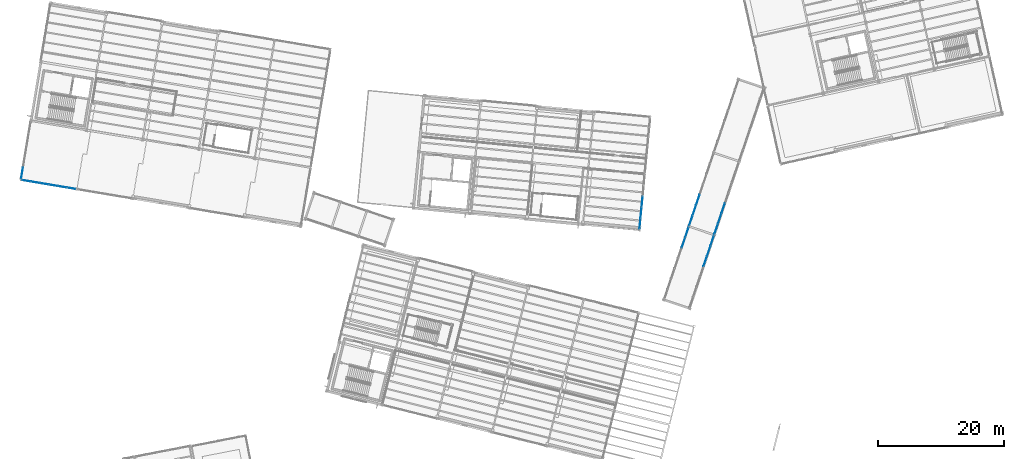
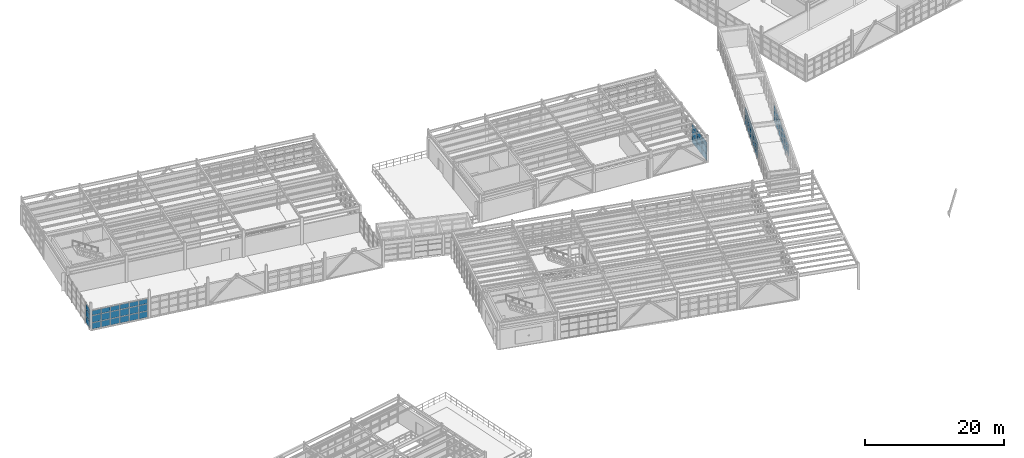
# One storey, part 65 of 102: 62 plates, 7 elements without a shape of their own.
"""IFC4 building model written with IfcOpenShell, lengths in metres."""

from ifc_helpers import new_model, si_unit, direction, frame, origin, origin_2d, place, context, subcontext, project, spatial, rectangle, extrude, material, layer, layer_set, type_object, element, aggregate, save


model = new_model("IFC4")

# Units and contexts
model_context = context("Model", 3, precision=1e-05, world=origin(), true_north=direction((0.0, 1.0)))
body_context = subcontext(model_context, "Body", "Model", "MODEL_VIEW")
ifc_project = project(units=[si_unit("LENGTHUNIT", "METRE"), si_unit("AREAUNIT", "SQUARE_METRE"), si_unit("VOLUMEUNIT", "CUBIC_METRE"), si_unit("PLANEANGLEUNIT", "RADIAN"), si_unit("MASSUNIT", "GRAM", prefix="KILO")], contexts=[model_context])

# Site, building, storey
site_placement = place(None, origin())
site = spatial("IfcSite", under=ifc_project, at=site_placement, CompositionType="ELEMENT")
building_placement = place(site_placement, origin())
building = spatial("IfcBuilding", under=site, at=building_placement, Name="Vireo Bluff Cable Station", CompositionType="ELEMENT")
storey_placement = place(building_placement, frame((0.0, 0.0, 9.60009765625)))
storey = spatial("IfcBuildingStorey", under=building, at=storey_placement, Name="L02", CompositionType="ELEMENT", Elevation=9.60009765625)

# Curtain wall, plates
ifc_material_1 = material(Name="Anodized Aluminium 6063-T6", Category="aluminium")
ifc_layer_1 = layer(ifc_material_1, 0.179931640625, Name="Anodized Aluminium 6063-T6")
ifc_layer_set_1 = layer_set([ifc_layer_1], Name="Anodized Aluminium 6063-T6")
curtain_wall_type_1 = type_object("IfcCurtainWallType", Name="CW-UNIT-1650", PredefinedType="USERDEFINED", material=ifc_layer_set_1)
curtain_wall_1_placement = place(storey_placement, origin())
curtain_wall_1 = element("IfcCurtainWall", 1, at=curtain_wall_1_placement, inside=storey, type_object=curtain_wall_type_1, Name="V3 L02 east curtain wall CW-080", ObjectType="UNITISED CURTAIN WALL", PredefinedType="USERDEFINED")
ifc_material_2 = material(Name="Laminated Low-E Insulated Glass", Category="glass")
ifc_layer_2 = layer(ifc_material_2, 0.028076171875, Name="Laminated Low-E Insulated Glass")
ifc_layer_set_2 = layer_set([ifc_layer_2], Name="Laminated Low-E Insulated Glass")
plate_type_1 = type_object("IfcPlateType", Name="CWP-28-1", PredefinedType="CURTAIN_PANEL", material=ifc_layer_set_2)
plate_1_placement = place(storey_placement, frame((104.00341796875, 68.0302734375, 0.06494140625), z_axis=(0.0, 0.0, 1.0), x_axis=(-0.095845757211, -0.995396197916, 0.0)))
plate_1 = element("IfcPlate", 2, at=plate_1_placement, type_object=plate_type_1, Name="CW-080 panel 3.1", PredefinedType="CURTAIN_PANEL", context=body_context, shape_type="SweptSolid", body=[
    extrude(rectangle(XDim=1.668701171875, YDim=0.028076171875, at=origin_2d()), origin(), (0.0, 0.0, 1.0), 1.092529296875),
])
plate_2_placement = place(storey_placement, frame((104.00341796875, 68.0302734375, 1.22216796875), z_axis=(0.0, 0.0, 1.0), x_axis=(-0.095845757211, -0.995396197916, 0.0)))
plate_2 = element("IfcPlate", 3, at=plate_2_placement, type_object=plate_type_1, Name="CW-080 panel 3.2", PredefinedType="CURTAIN_PANEL", context=body_context, shape_type="SweptSolid", body=[
    extrude(rectangle(XDim=1.668701171875, YDim=0.028076171875, at=origin_2d()), origin(), (0.0, 0.0, 1.0), 1.193115234375),
])
plate_3_placement = place(storey_placement, frame((104.00341796875, 68.0302734375, 2.48046875), z_axis=(0.0, 0.0, 1.0), x_axis=(-0.095845757211, -0.995396197916, 0.0)))
plate_3 = element("IfcPlate", 4, at=plate_3_placement, type_object=plate_type_1, Name="CW-080 panel 3.3", PredefinedType="CURTAIN_PANEL", context=body_context, shape_type="SweptSolid", body=[
    extrude(rectangle(XDim=1.668701171875, YDim=0.028076171875, at=origin_2d()), origin(), (0.0, 0.0, 1.0), 0.8544921875),
])
plate_4_placement = place(storey_placement, frame((103.837158203125, 66.3046875, 0.06494140625), z_axis=(0.0, 0.0, 1.0), x_axis=(-0.095845757211, -0.995396197916, 0.0)))
plate_4 = element("IfcPlate", 5, at=plate_4_placement, type_object=plate_type_1, Name="CW-080 panel 4.1", PredefinedType="CURTAIN_PANEL", context=body_context, shape_type="SweptSolid", body=[
    extrude(rectangle(XDim=1.668701171875, YDim=0.028076171875, at=origin_2d()), origin(), (0.0, 0.0, 1.0), 1.092529296875),
])
plate_5_placement = place(storey_placement, frame((103.837158203125, 66.3046875, 1.22216796875), z_axis=(0.0, 0.0, 1.0), x_axis=(-0.095845757211, -0.995396197916, 0.0)))
plate_5 = element("IfcPlate", 6, at=plate_5_placement, type_object=plate_type_1, Name="CW-080 panel 4.2", PredefinedType="CURTAIN_PANEL", context=body_context, shape_type="SweptSolid", body=[
    extrude(rectangle(XDim=1.668701171875, YDim=0.028076171875, at=origin_2d()), origin(), (0.0, 0.0, 1.0), 1.193115234375),
])
plate_6_placement = place(storey_placement, frame((103.837158203125, 66.3046875, 2.48046875), z_axis=(0.0, 0.0, 1.0), x_axis=(-0.095845757211, -0.995396197916, 0.0)))
plate_6 = element("IfcPlate", 7, at=plate_6_placement, type_object=plate_type_1, Name="CW-080 panel 4.3", PredefinedType="CURTAIN_PANEL", context=body_context, shape_type="SweptSolid", body=[
    extrude(rectangle(XDim=1.668701171875, YDim=0.028076171875, at=origin_2d()), origin(), (0.0, 0.0, 1.0), 0.8544921875),
])
plate_7_placement = place(storey_placement, frame((103.672607421875, 64.59521484375, 0.06494140625), z_axis=(0.0, 0.0, 1.0), x_axis=(-0.095845757211, -0.995396197916, 0.0)))
plate_7 = element("IfcPlate", 8, at=plate_7_placement, type_object=plate_type_1, Name="CW-080 panel 5.1", PredefinedType="CURTAIN_PANEL", context=body_context, shape_type="SweptSolid", body=[
    extrude(rectangle(XDim=1.635986328125, YDim=0.028076171875, at=origin_2d()), origin(), (0.0, 0.0, 1.0), 1.092529296875),
])
plate_8_placement = place(storey_placement, frame((103.672607421875, 64.59521484375, 1.22216796875), z_axis=(0.0, 0.0, 1.0), x_axis=(-0.095845757211, -0.995396197916, 0.0)))
plate_8 = element("IfcPlate", 9, at=plate_8_placement, type_object=plate_type_1, Name="CW-080 panel 5.2", PredefinedType="CURTAIN_PANEL", context=body_context, shape_type="SweptSolid", body=[
    extrude(rectangle(XDim=1.635986328125, YDim=0.028076171875, at=origin_2d()), origin(), (0.0, 0.0, 1.0), 1.193115234375),
])
plate_9_placement = place(storey_placement, frame((103.672607421875, 64.59521484375, 2.48046875), z_axis=(0.0, 0.0, 1.0), x_axis=(-0.095845757211, -0.995396197916, 0.0)))
plate_9 = element("IfcPlate", 10, at=plate_9_placement, type_object=plate_type_1, Name="CW-080 panel 5.3", PredefinedType="CURTAIN_PANEL", context=body_context, shape_type="SweptSolid", body=[
    extrude(rectangle(XDim=1.635986328125, YDim=0.028076171875, at=origin_2d()), origin(), (0.0, 0.0, 1.0), 0.8544921875),
])
aggregate(curtain_wall_1, [plate_1, plate_2, plate_3, plate_4, plate_5, plate_6, plate_7, plate_8, plate_9])

ifc_layer_3 = layer(ifc_material_1, 0.159912109375, Name="Anodized Aluminium 6063-T6")
ifc_layer_set_3 = layer_set([ifc_layer_3], Name="Anodized Aluminium 6063-T6")
curtain_wall_type_2 = type_object("IfcCurtainWallType", Name="CW-STICK-1750", PredefinedType="USERDEFINED", material=ifc_layer_set_3)
curtain_wall_2_placement = place(storey_placement, origin())
curtain_wall_2 = element("IfcCurtainWall", 11, at=curtain_wall_2_placement, inside=storey, type_object=curtain_wall_type_2, Name="SKYBR L02 HAUL-DRIVE-1L curtain wall CW-146", ObjectType="STICK CURTAIN WALL", PredefinedType="USERDEFINED")
ifc_layer_4 = layer(ifc_material_2, 0.031982421875, Name="Laminated Low-E Insulated Glass")
ifc_layer_set_4 = layer_set([ifc_layer_4], Name="Laminated Low-E Insulated Glass")
plate_type_2 = type_object("IfcPlateType", Name="CWP-32-2", PredefinedType="CURTAIN_PANEL", material=ifc_layer_set_4)
plate_10_placement = place(storey_placement, frame((114.009521484375, 58.577880859375, 1.0380859375), z_axis=(0.0, 0.0, 1.0), x_axis=(0.32036366354, 0.947294633724, 0.0)))
plate_10 = element("IfcPlate", 12, at=plate_10_placement, type_object=plate_type_2, Name="CW-146 panel 5.2", PredefinedType="CURTAIN_PANEL", context=body_context, shape_type="SweptSolid", body=[
    extrude(rectangle(XDim=1.6650390625, YDim=0.031982421875, at=origin_2d()), origin(), (0.0, 0.0, 1.0), 1.005615234375),
])
plate_11_placement = place(storey_placement, frame((114.009521484375, 58.577880859375, 2.103515625), z_axis=(0.0, 0.0, 1.0), x_axis=(0.32036366354, 0.947294633724, 0.0)))
plate_11 = element("IfcPlate", 13, at=plate_11_placement, type_object=plate_type_2, Name="CW-146 panel 5.3", PredefinedType="CURTAIN_PANEL", context=body_context, shape_type="SweptSolid", body=[
    extrude(rectangle(XDim=1.6650390625, YDim=0.031982421875, at=origin_2d()), origin(), (0.0, 0.0, 1.0), 0.71630859375),
])
plate_12_placement = place(storey_placement, frame((114.56201171875, 60.2119140625, 0.059814453125), z_axis=(0.0, 0.0, 1.0), x_axis=(0.32036366354, 0.947294633724, 0.0)))
plate_12 = element("IfcPlate", 14, at=plate_12_placement, type_object=plate_type_2, Name="CW-146 panel 6.1", PredefinedType="CURTAIN_PANEL", context=body_context, shape_type="SweptSolid", body=[
    extrude(rectangle(XDim=1.6650390625, YDim=0.031982421875, at=origin_2d()), origin(), (0.0, 0.0, 1.0), 0.91796875),
])
plate_13_placement = place(storey_placement, frame((114.56201171875, 60.2119140625, 1.0380859375), z_axis=(0.0, 0.0, 1.0), x_axis=(0.32036366354, 0.947294633724, 0.0)))
plate_13 = element("IfcPlate", 15, at=plate_13_placement, type_object=plate_type_2, Name="CW-146 panel 6.2", PredefinedType="CURTAIN_PANEL", context=body_context, shape_type="SweptSolid", body=[
    extrude(rectangle(XDim=1.6650390625, YDim=0.031982421875, at=origin_2d()), origin(), (0.0, 0.0, 1.0), 1.005615234375),
])
plate_14_placement = place(storey_placement, frame((114.56201171875, 60.2119140625, 2.103515625), z_axis=(0.0, 0.0, 1.0), x_axis=(0.32036366354, 0.947294633724, 0.0)))
plate_14 = element("IfcPlate", 16, at=plate_14_placement, type_object=plate_type_2, Name="CW-146 panel 6.3", PredefinedType="CURTAIN_PANEL", context=body_context, shape_type="SweptSolid", body=[
    extrude(rectangle(XDim=1.6650390625, YDim=0.031982421875, at=origin_2d()), origin(), (0.0, 0.0, 1.0), 0.71630859375),
])
plate_15_placement = place(storey_placement, frame((115.10986328125, 61.831787109375, 0.059814453125), z_axis=(0.0, 0.0, 1.0), x_axis=(0.32036366354, 0.947294633724, 0.0)))
plate_15 = element("IfcPlate", 17, at=plate_15_placement, type_object=plate_type_2, Name="CW-146 panel 7.1", PredefinedType="CURTAIN_PANEL", context=body_context, shape_type="SweptSolid", body=[
    extrude(rectangle(XDim=1.635009765625, YDim=0.031982421875, at=origin_2d()), origin(), (0.0, 0.0, 1.0), 0.91796875),
])
plate_16_placement = place(storey_placement, frame((115.10986328125, 61.831787109375, 1.0380859375), z_axis=(0.0, 0.0, 1.0), x_axis=(0.32036366354, 0.947294633724, 0.0)))
plate_16 = element("IfcPlate", 18, at=plate_16_placement, type_object=plate_type_2, Name="CW-146 panel 7.2", PredefinedType="CURTAIN_PANEL", context=body_context, shape_type="SweptSolid", body=[
    extrude(rectangle(XDim=1.635009765625, YDim=0.031982421875, at=origin_2d()), origin(), (0.0, 0.0, 1.0), 1.005615234375),
])
plate_17_placement = place(storey_placement, frame((115.10986328125, 61.831787109375, 2.103515625), z_axis=(0.0, 0.0, 1.0), x_axis=(0.32036366354, 0.947294633724, 0.0)))
plate_17 = element("IfcPlate", 19, at=plate_17_placement, type_object=plate_type_2, Name="CW-146 panel 7.3", PredefinedType="CURTAIN_PANEL", context=body_context, shape_type="SweptSolid", body=[
    extrude(rectangle(XDim=1.635009765625, YDim=0.031982421875, at=origin_2d()), origin(), (0.0, 0.0, 1.0), 0.71630859375),
])
aggregate(curtain_wall_2, [plate_10, plate_11, plate_12, plate_13, plate_14, plate_15, plate_16, plate_17])

ifc_layer_5 = layer(ifc_material_1, 0.179931640625, Name="Anodized Aluminium 6063-T6")
ifc_layer_set_5 = layer_set([ifc_layer_5], Name="Anodized Aluminium 6063-T6")
curtain_wall_type_3 = type_object("IfcCurtainWallType", Name="CW-UNIT-1500", PredefinedType="USERDEFINED", material=ifc_layer_set_5)
curtain_wall_3_placement = place(storey_placement, origin())
curtain_wall_3 = element("IfcCurtainWall", 20, at=curtain_wall_3_placement, inside=storey, type_object=curtain_wall_type_3, Name="V4 L02 south curtain wall CW-097", ObjectType="UNITISED CURTAIN WALL", PredefinedType="USERDEFINED")
ifc_layer_6 = layer(ifc_material_2, 0.035888671875, Name="Laminated Low-E Insulated Glass")
ifc_layer_set_6 = layer_set([ifc_layer_6], Name="Laminated Low-E Insulated Glass")
plate_type_3 = type_object("IfcPlateType", Name="CWP-36-3", PredefinedType="CURTAIN_PANEL", material=ifc_layer_set_6)
plate_18_placement = place(storey_placement, frame((13.487548828125, 70.163330078125, 0.0751953125), z_axis=(0.0, 0.0, 1.0), x_axis=(-0.986285599342, 0.165047618978, 0.0)))
plate_18 = element("IfcPlate", 21, at=plate_18_placement, type_object=plate_type_3, Name="CW-097 panel 1.1", PredefinedType="CURTAIN_PANEL", context=body_context, shape_type="SweptSolid", body=[
    extrude(rectangle(XDim=1.339599609375, YDim=0.035888671875, at=origin_2d()), origin(), (0.0, 0.0, 1.0), 1.077392578125),
])
plate_19_placement = place(storey_placement, frame((13.487548828125, 70.163330078125, 1.227294921875), z_axis=(0.0, 0.0, 1.0), x_axis=(-0.986285599342, 0.165047618978, 0.0)))
plate_19 = element("IfcPlate", 22, at=plate_19_placement, type_object=plate_type_3, Name="CW-097 panel 1.2", PredefinedType="CURTAIN_PANEL", context=body_context, shape_type="SweptSolid", body=[
    extrude(rectangle(XDim=1.339599609375, YDim=0.035888671875, at=origin_2d()), origin(), (0.0, 0.0, 1.0), 1.18310546875),
])
plate_20_placement = place(storey_placement, frame((13.487548828125, 70.163330078125, 2.4853515625), z_axis=(0.0, 0.0, 1.0), x_axis=(-0.986285599342, 0.165047618978, 0.0)))
plate_20 = element("IfcPlate", 23, at=plate_20_placement, type_object=plate_type_3, Name="CW-097 panel 1.3", PredefinedType="CURTAIN_PANEL", context=body_context, shape_type="SweptSolid", body=[
    extrude(rectangle(XDim=1.339599609375, YDim=0.035888671875, at=origin_2d()), origin(), (0.0, 0.0, 1.0), 0.839599609375),
])
plate_21_placement = place(storey_placement, frame((12.07373046875, 70.39990234375, 0.0751953125), z_axis=(0.0, 0.0, 1.0), x_axis=(-0.986285599342, 0.165047618978, 0.0)))
plate_21 = element("IfcPlate", 24, at=plate_21_placement, type_object=plate_type_3, Name="CW-097 panel 2.1", PredefinedType="CURTAIN_PANEL", context=body_context, shape_type="SweptSolid", body=[
    extrude(rectangle(XDim=1.377197265625, YDim=0.035888671875, at=origin_2d()), origin(), (0.0, 0.0, 1.0), 1.077392578125),
])
plate_22_placement = place(storey_placement, frame((12.07373046875, 70.39990234375, 1.227294921875), z_axis=(0.0, 0.0, 1.0), x_axis=(-0.986285599342, 0.165047618978, 0.0)))
plate_22 = element("IfcPlate", 25, at=plate_22_placement, type_object=plate_type_3, Name="CW-097 panel 2.2", PredefinedType="CURTAIN_PANEL", context=body_context, shape_type="SweptSolid", body=[
    extrude(rectangle(XDim=1.377197265625, YDim=0.035888671875, at=origin_2d()), origin(), (0.0, 0.0, 1.0), 1.18310546875),
])
plate_23_placement = place(storey_placement, frame((12.07373046875, 70.39990234375, 2.4853515625), z_axis=(0.0, 0.0, 1.0), x_axis=(-0.986285599342, 0.165047618978, 0.0)))
plate_23 = element("IfcPlate", 26, at=plate_23_placement, type_object=plate_type_3, Name="CW-097 panel 2.3", PredefinedType="CURTAIN_PANEL", context=body_context, shape_type="SweptSolid", body=[
    extrude(rectangle(XDim=1.377197265625, YDim=0.035888671875, at=origin_2d()), origin(), (0.0, 0.0, 1.0), 0.839599609375),
])
plate_24_placement = place(storey_placement, frame((10.6416015625, 70.6396484375, 0.0751953125), z_axis=(0.0, 0.0, 1.0), x_axis=(-0.986285599342, 0.165047618978, 0.0)))
plate_24 = element("IfcPlate", 27, at=plate_24_placement, type_object=plate_type_3, Name="CW-097 panel 3.1", PredefinedType="CURTAIN_PANEL", context=body_context, shape_type="SweptSolid", body=[
    extrude(rectangle(XDim=1.377197265625, YDim=0.035888671875, at=origin_2d()), origin(), (0.0, 0.0, 1.0), 1.077392578125),
])
plate_25_placement = place(storey_placement, frame((10.6416015625, 70.6396484375, 1.227294921875), z_axis=(0.0, 0.0, 1.0), x_axis=(-0.986285599342, 0.165047618978, 0.0)))
plate_25 = element("IfcPlate", 28, at=plate_25_placement, type_object=plate_type_3, Name="CW-097 panel 3.2", PredefinedType="CURTAIN_PANEL", context=body_context, shape_type="SweptSolid", body=[
    extrude(rectangle(XDim=1.377197265625, YDim=0.035888671875, at=origin_2d()), origin(), (0.0, 0.0, 1.0), 1.18310546875),
])
plate_26_placement = place(storey_placement, frame((10.6416015625, 70.6396484375, 2.4853515625), z_axis=(0.0, 0.0, 1.0), x_axis=(-0.986285599342, 0.165047618978, 0.0)))
plate_26 = element("IfcPlate", 29, at=plate_26_placement, type_object=plate_type_3, Name="CW-097 panel 3.3", PredefinedType="CURTAIN_PANEL", context=body_context, shape_type="SweptSolid", body=[
    extrude(rectangle(XDim=1.377197265625, YDim=0.035888671875, at=origin_2d()), origin(), (0.0, 0.0, 1.0), 0.839599609375),
])
plate_27_placement = place(storey_placement, frame((9.209228515625, 70.879150390625, 0.0751953125), z_axis=(0.0, 0.0, 1.0), x_axis=(-0.986285599342, 0.165047618978, 0.0)))
plate_27 = element("IfcPlate", 30, at=plate_27_placement, type_object=plate_type_3, Name="CW-097 panel 4.1", PredefinedType="CURTAIN_PANEL", context=body_context, shape_type="SweptSolid", body=[
    extrude(rectangle(XDim=1.377197265625, YDim=0.035888671875, at=origin_2d()), origin(), (0.0, 0.0, 1.0), 1.077392578125),
])
plate_28_placement = place(storey_placement, frame((9.209228515625, 70.879150390625, 1.227294921875), z_axis=(0.0, 0.0, 1.0), x_axis=(-0.986285599342, 0.165047618978, 0.0)))
plate_28 = element("IfcPlate", 31, at=plate_28_placement, type_object=plate_type_3, Name="CW-097 panel 4.2", PredefinedType="CURTAIN_PANEL", context=body_context, shape_type="SweptSolid", body=[
    extrude(rectangle(XDim=1.377197265625, YDim=0.035888671875, at=origin_2d()), origin(), (0.0, 0.0, 1.0), 1.18310546875),
])
plate_29_placement = place(storey_placement, frame((9.209228515625, 70.879150390625, 2.4853515625), z_axis=(0.0, 0.0, 1.0), x_axis=(-0.986285599342, 0.165047618978, 0.0)))
plate_29 = element("IfcPlate", 32, at=plate_29_placement, type_object=plate_type_3, Name="CW-097 panel 4.3", PredefinedType="CURTAIN_PANEL", context=body_context, shape_type="SweptSolid", body=[
    extrude(rectangle(XDim=1.377197265625, YDim=0.035888671875, at=origin_2d()), origin(), (0.0, 0.0, 1.0), 0.839599609375),
])
plate_30_placement = place(storey_placement, frame((7.777099609375, 71.118896484375, 0.0751953125), z_axis=(0.0, 0.0, 1.0), x_axis=(-0.986285599342, 0.165047618978, 0.0)))
plate_30 = element("IfcPlate", 33, at=plate_30_placement, type_object=plate_type_3, Name="CW-097 panel 5.1", PredefinedType="CURTAIN_PANEL", context=body_context, shape_type="SweptSolid", body=[
    extrude(rectangle(XDim=1.377197265625, YDim=0.035888671875, at=origin_2d()), origin(), (0.0, 0.0, 1.0), 1.077392578125),
])
plate_31_placement = place(storey_placement, frame((7.777099609375, 71.118896484375, 1.227294921875), z_axis=(0.0, 0.0, 1.0), x_axis=(-0.986285599342, 0.165047618978, 0.0)))
plate_31 = element("IfcPlate", 34, at=plate_31_placement, type_object=plate_type_3, Name="CW-097 panel 5.2", PredefinedType="CURTAIN_PANEL", context=body_context, shape_type="SweptSolid", body=[
    extrude(rectangle(XDim=1.377197265625, YDim=0.035888671875, at=origin_2d()), origin(), (0.0, 0.0, 1.0), 1.18310546875),
])
plate_32_placement = place(storey_placement, frame((7.777099609375, 71.118896484375, 2.4853515625), z_axis=(0.0, 0.0, 1.0), x_axis=(-0.986285599342, 0.165047618978, 0.0)))
plate_32 = element("IfcPlate", 35, at=plate_32_placement, type_object=plate_type_3, Name="CW-097 panel 5.3", PredefinedType="CURTAIN_PANEL", context=body_context, shape_type="SweptSolid", body=[
    extrude(rectangle(XDim=1.377197265625, YDim=0.035888671875, at=origin_2d()), origin(), (0.0, 0.0, 1.0), 0.839599609375),
])
plate_33_placement = place(storey_placement, frame((6.36328125, 71.35546875, 0.0751953125), z_axis=(0.0, 0.0, 1.0), x_axis=(-0.986285599342, 0.165047618978, 0.0)))
plate_33 = element("IfcPlate", 36, at=plate_33_placement, type_object=plate_type_3, Name="CW-097 panel 6.1", PredefinedType="CURTAIN_PANEL", context=body_context, shape_type="SweptSolid", body=[
    extrude(rectangle(XDim=1.339599609375, YDim=0.035888671875, at=origin_2d()), origin(), (0.0, 0.0, 1.0), 1.077392578125),
])
plate_34_placement = place(storey_placement, frame((6.36328125, 71.35546875, 1.227294921875), z_axis=(0.0, 0.0, 1.0), x_axis=(-0.986285599342, 0.165047618978, 0.0)))
plate_34 = element("IfcPlate", 37, at=plate_34_placement, type_object=plate_type_3, Name="CW-097 panel 6.2", PredefinedType="CURTAIN_PANEL", context=body_context, shape_type="SweptSolid", body=[
    extrude(rectangle(XDim=1.339599609375, YDim=0.035888671875, at=origin_2d()), origin(), (0.0, 0.0, 1.0), 1.18310546875),
])
plate_35_placement = place(storey_placement, frame((6.36328125, 71.35546875, 2.4853515625), z_axis=(0.0, 0.0, 1.0), x_axis=(-0.986285599342, 0.165047618978, 0.0)))
plate_35 = element("IfcPlate", 38, at=plate_35_placement, type_object=plate_type_3, Name="CW-097 panel 6.3", PredefinedType="CURTAIN_PANEL", context=body_context, shape_type="SweptSolid", body=[
    extrude(rectangle(XDim=1.339599609375, YDim=0.035888671875, at=origin_2d()), origin(), (0.0, 0.0, 1.0), 0.839599609375),
])
aggregate(curtain_wall_3, [plate_18, plate_19, plate_20, plate_21, plate_22, plate_23, plate_24, plate_25, plate_26, plate_27, plate_28, plate_29, plate_30, plate_31, plate_32, plate_33, plate_34, plate_35])

ifc_layer_7 = layer(ifc_material_1, 0.159912109375, Name="Anodized Aluminium 6063-T6")
ifc_layer_set_7 = layer_set([ifc_layer_7], Name="Anodized Aluminium 6063-T6")
curtain_wall_type_4 = type_object("IfcCurtainWallType", Name="CW-STICK-1850", PredefinedType="USERDEFINED", material=ifc_layer_set_7)
curtain_wall_4_placement = place(storey_placement, origin())
curtain_wall_4 = element("IfcCurtainWall", 39, at=curtain_wall_4_placement, inside=storey, type_object=curtain_wall_type_4, Name="SKYBR L02 HAUL-DRIVE-1R curtain wall CW-147", ObjectType="STICK CURTAIN WALL", PredefinedType="USERDEFINED")
plate_36_placement = place(storey_placement, frame((110.560791015625, 61.565185546875, 0.080078125), z_axis=(0.0, 0.0, 1.0), x_axis=(0.32036366354, 0.947294633724, 0.0)))
plate_36 = element("IfcPlate", 40, at=plate_36_placement, type_object=plate_type_3, Name="CW-147 panel 6.1", PredefinedType="CURTAIN_PANEL", context=body_context, shape_type="SweptSolid", body=[
    extrude(rectangle(XDim=1.64501953125, YDim=0.035888671875, at=origin_2d()), origin(), (0.0, 0.0, 1.0), 0.887939453125),
])
plate_37_placement = place(storey_placement, frame((110.560791015625, 61.565185546875, 1.0478515625), z_axis=(0.0, 0.0, 1.0), x_axis=(0.32036366354, 0.947294633724, 0.0)))
plate_37 = element("IfcPlate", 41, at=plate_37_placement, type_object=plate_type_3, Name="CW-147 panel 6.2", PredefinedType="CURTAIN_PANEL", context=body_context, shape_type="SweptSolid", body=[
    extrude(rectangle(XDim=1.64501953125, YDim=0.035888671875, at=origin_2d()), origin(), (0.0, 0.0, 1.0), 0.985595703125),
])
plate_38_placement = place(storey_placement, frame((110.560791015625, 61.565185546875, 2.11376953125), z_axis=(0.0, 0.0, 1.0), x_axis=(0.32036366354, 0.947294633724, 0.0)))
plate_38 = element("IfcPlate", 42, at=plate_38_placement, type_object=plate_type_3, Name="CW-147 panel 6.3", PredefinedType="CURTAIN_PANEL", context=body_context, shape_type="SweptSolid", body=[
    extrude(rectangle(XDim=1.64501953125, YDim=0.035888671875, at=origin_2d()), origin(), (0.0, 0.0, 1.0), 0.686279296875),
])
plate_39_placement = place(storey_placement, frame((111.10693359375, 63.180419921875, 0.080078125), z_axis=(0.0, 0.0, 1.0), x_axis=(0.32036366354, 0.947294633724, 0.0)))
plate_39 = element("IfcPlate", 43, at=plate_39_placement, type_object=plate_type_3, Name="CW-147 panel 7.1", PredefinedType="CURTAIN_PANEL", context=body_context, shape_type="SweptSolid", body=[
    extrude(rectangle(XDim=1.60498046875, YDim=0.035888671875, at=origin_2d()), origin(), (0.0, 0.0, 1.0), 0.887939453125),
])
plate_40_placement = place(storey_placement, frame((111.10693359375, 63.180419921875, 1.0478515625), z_axis=(0.0, 0.0, 1.0), x_axis=(0.32036366354, 0.947294633724, 0.0)))
plate_40 = element("IfcPlate", 44, at=plate_40_placement, type_object=plate_type_3, Name="CW-147 panel 7.2", PredefinedType="CURTAIN_PANEL", context=body_context, shape_type="SweptSolid", body=[
    extrude(rectangle(XDim=1.60498046875, YDim=0.035888671875, at=origin_2d()), origin(), (0.0, 0.0, 1.0), 0.985595703125),
])
plate_41_placement = place(storey_placement, frame((111.10693359375, 63.180419921875, 2.11376953125), z_axis=(0.0, 0.0, 1.0), x_axis=(0.32036366354, 0.947294633724, 0.0)))
plate_41 = element("IfcPlate", 45, at=plate_41_placement, type_object=plate_type_3, Name="CW-147 panel 7.3", PredefinedType="CURTAIN_PANEL", context=body_context, shape_type="SweptSolid", body=[
    extrude(rectangle(XDim=1.60498046875, YDim=0.035888671875, at=origin_2d()), origin(), (0.0, 0.0, 1.0), 0.686279296875),
])
aggregate(curtain_wall_4, [plate_36, plate_37, plate_38, plate_39, plate_40, plate_41])

curtain_wall_5_placement = place(storey_placement, origin())
curtain_wall_5 = element("IfcCurtainWall", 46, at=curtain_wall_5_placement, inside=storey, type_object=curtain_wall_type_2, Name="V4 L02 west curtain wall CW-098", ObjectType="STICK CURTAIN WALL", PredefinedType="USERDEFINED")
ifc_material_3 = material(Name="Insulated Spandrel Glass Panel", Category="glass")
ifc_layer_8 = layer(ifc_material_3, 0.0419921875, Name="Insulated Spandrel Glass Panel")
ifc_layer_set_8 = layer_set([ifc_layer_8], Name="Insulated Spandrel Glass Panel")
plate_type_4 = type_object("IfcPlateType", Name="CWP-42-4", PredefinedType="CURTAIN_PANEL", material=ifc_layer_set_8)
plate_42_placement = place(storey_placement, frame((5.676513671875, 72.5546875, 0.059814453125), z_axis=(0.0, 0.0, 1.0), x_axis=(0.165047635589, 0.986285596562, 0.0)))
plate_42 = element("IfcPlate", 47, at=plate_42_placement, type_object=plate_type_4, Name="CW-098 panel 1.1", PredefinedType="CURTAIN_PANEL", context=body_context, shape_type="SweptSolid", body=[
    extrude(rectangle(XDim=1.75048828125, YDim=0.0419921875, at=origin_2d()), origin(), (0.0, 0.0, 1.0), 1.10009765625),
])
plate_43_placement = place(storey_placement, frame((5.676513671875, 72.5546875, 1.2197265625), z_axis=(0.0, 0.0, 1.0), x_axis=(0.165047635589, 0.986285596562, 0.0)))
plate_43 = element("IfcPlate", 48, at=plate_43_placement, type_object=plate_type_4, Name="CW-098 panel 1.2", PredefinedType="CURTAIN_PANEL", context=body_context, shape_type="SweptSolid", body=[
    extrude(rectangle(XDim=1.75048828125, YDim=0.0419921875, at=origin_2d()), origin(), (0.0, 0.0, 1.0), 1.197998046875),
])
plate_44_placement = place(storey_placement, frame((5.676513671875, 72.5546875, 2.47802734375), z_axis=(0.0, 0.0, 1.0), x_axis=(0.165047635589, 0.986285596562, 0.0)))
plate_44 = element("IfcPlate", 49, at=plate_44_placement, type_object=plate_type_4, Name="CW-098 panel 1.3", PredefinedType="CURTAIN_PANEL", context=body_context, shape_type="SweptSolid", body=[
    extrude(rectangle(XDim=1.75048828125, YDim=0.0419921875, at=origin_2d()), origin(), (0.0, 0.0, 1.0), 0.862060546875),
])
aggregate(curtain_wall_5, [plate_42, plate_43, plate_44])

curtain_wall_6_placement = place(storey_placement, origin())
curtain_wall_6 = element("IfcCurtainWall", 50, at=curtain_wall_6_placement, inside=storey, type_object=curtain_wall_type_2, Name="SKYBR L02 HAUL-DRIVE-2L curtain wall CW-148", ObjectType="STICK CURTAIN WALL", PredefinedType="USERDEFINED")
plate_45_placement = place(storey_placement, frame((115.74951171875, 63.723388671875, 0.06494140625), z_axis=(0.0, 0.0, 1.0), x_axis=(0.320362365221, 0.9472950728, 0.0)))
plate_45 = element("IfcPlate", 51, at=plate_45_placement, type_object=plate_type_4, Name="CW-148 panel 1.1", PredefinedType="CURTAIN_PANEL", context=body_context, shape_type="SweptSolid", body=[
    extrude(rectangle(XDim=1.628173828125, YDim=0.0419921875, at=origin_2d()), origin(), (0.0, 0.0, 1.0), 0.910400390625),
])
plate_46_placement = place(storey_placement, frame((115.74951171875, 63.723388671875, 1.04052734375), z_axis=(0.0, 0.0, 1.0), x_axis=(0.320362365221, 0.9472950728, 0.0)))
plate_46 = element("IfcPlate", 52, at=plate_46_placement, type_object=plate_type_4, Name="CW-148 panel 1.2", PredefinedType="CURTAIN_PANEL", context=body_context, shape_type="SweptSolid", body=[
    extrude(rectangle(XDim=1.628173828125, YDim=0.0419921875, at=origin_2d()), origin(), (0.0, 0.0, 1.0), 1.00048828125),
])
plate_47_placement = place(storey_placement, frame((115.74951171875, 63.723388671875, 2.10595703125), z_axis=(0.0, 0.0, 1.0), x_axis=(0.320362365221, 0.9472950728, 0.0)))
plate_47 = element("IfcPlate", 53, at=plate_47_placement, type_object=plate_type_4, Name="CW-148 panel 1.3", PredefinedType="CURTAIN_PANEL", context=body_context, shape_type="SweptSolid", body=[
    extrude(rectangle(XDim=1.628173828125, YDim=0.0419921875, at=origin_2d()), origin(), (0.0, 0.0, 1.0), 0.708984375),
])
plate_48_placement = place(storey_placement, frame((116.297119140625, 65.342529296875, 0.06494140625), z_axis=(0.0, 0.0, 1.0), x_axis=(0.320362365221, 0.9472950728, 0.0)))
plate_48 = element("IfcPlate", 54, at=plate_48_placement, type_object=plate_type_4, Name="CW-148 panel 2.1", PredefinedType="CURTAIN_PANEL", context=body_context, shape_type="SweptSolid", body=[
    extrude(rectangle(XDim=1.66064453125, YDim=0.0419921875, at=origin_2d()), origin(), (0.0, 0.0, 1.0), 0.910400390625),
])
plate_49_placement = place(storey_placement, frame((116.297119140625, 65.342529296875, 1.04052734375), z_axis=(0.0, 0.0, 1.0), x_axis=(0.320362365221, 0.9472950728, 0.0)))
plate_49 = element("IfcPlate", 55, at=plate_49_placement, type_object=plate_type_4, Name="CW-148 panel 2.2", PredefinedType="CURTAIN_PANEL", context=body_context, shape_type="SweptSolid", body=[
    extrude(rectangle(XDim=1.66064453125, YDim=0.0419921875, at=origin_2d()), origin(), (0.0, 0.0, 1.0), 1.00048828125),
])
plate_50_placement = place(storey_placement, frame((116.297119140625, 65.342529296875, 2.10595703125), z_axis=(0.0, 0.0, 1.0), x_axis=(0.320362365221, 0.9472950728, 0.0)))
plate_50 = element("IfcPlate", 56, at=plate_50_placement, type_object=plate_type_4, Name="CW-148 panel 2.3", PredefinedType="CURTAIN_PANEL", context=body_context, shape_type="SweptSolid", body=[
    extrude(rectangle(XDim=1.66064453125, YDim=0.0419921875, at=origin_2d()), origin(), (0.0, 0.0, 1.0), 0.708984375),
])
plate_51_placement = place(storey_placement, frame((116.849853515625, 66.977294921875, 0.06494140625), z_axis=(0.0, 0.0, 1.0), x_axis=(0.320362365221, 0.9472950728, 0.0)))
plate_51 = element("IfcPlate", 57, at=plate_51_placement, type_object=plate_type_4, Name="CW-148 panel 3.1", PredefinedType="CURTAIN_PANEL", context=body_context, shape_type="SweptSolid", body=[
    extrude(rectangle(XDim=1.66064453125, YDim=0.0419921875, at=origin_2d()), origin(), (0.0, 0.0, 1.0), 0.910400390625),
])
plate_52_placement = place(storey_placement, frame((116.849853515625, 66.977294921875, 1.04052734375), z_axis=(0.0, 0.0, 1.0), x_axis=(0.320362365221, 0.9472950728, 0.0)))
plate_52 = element("IfcPlate", 58, at=plate_52_placement, type_object=plate_type_4, Name="CW-148 panel 3.2", PredefinedType="CURTAIN_PANEL", context=body_context, shape_type="SweptSolid", body=[
    extrude(rectangle(XDim=1.66064453125, YDim=0.0419921875, at=origin_2d()), origin(), (0.0, 0.0, 1.0), 1.00048828125),
])
plate_53_placement = place(storey_placement, frame((116.849853515625, 66.977294921875, 2.10595703125), z_axis=(0.0, 0.0, 1.0), x_axis=(0.320362365221, 0.9472950728, 0.0)))
plate_53 = element("IfcPlate", 59, at=plate_53_placement, type_object=plate_type_4, Name="CW-148 panel 3.3", PredefinedType="CURTAIN_PANEL", context=body_context, shape_type="SweptSolid", body=[
    extrude(rectangle(XDim=1.66064453125, YDim=0.0419921875, at=origin_2d()), origin(), (0.0, 0.0, 1.0), 0.708984375),
])
aggregate(curtain_wall_6, [plate_45, plate_46, plate_47, plate_48, plate_49, plate_50, plate_51, plate_52, plate_53])

curtain_wall_7_placement = place(storey_placement, origin())
curtain_wall_7 = element("IfcCurtainWall", 60, at=curtain_wall_7_placement, inside=storey, type_object=curtain_wall_type_4, Name="SKYBR L02 HAUL-DRIVE-2R curtain wall CW-149", ObjectType="STICK CURTAIN WALL", PredefinedType="USERDEFINED")
ifc_layer_9 = layer(ifc_material_3, 0.048095703125, Name="Insulated Spandrel Glass Panel")
ifc_layer_set_9 = layer_set([ifc_layer_9], Name="Insulated Spandrel Glass Panel")
plate_type_5 = type_object("IfcPlateType", Name="CWP-48-5", PredefinedType="CURTAIN_PANEL", material=ifc_layer_set_9)
plate_54_placement = place(storey_placement, frame((111.7490234375, 65.078857421875, 0.074951171875), z_axis=(0.0, 0.0, 1.0), x_axis=(0.320362365221, 0.9472950728, 0.0)))
plate_54 = element("IfcPlate", 61, at=plate_54_placement, type_object=plate_type_5, Name="CW-149 panel 1.1", PredefinedType="CURTAIN_PANEL", context=body_context, shape_type="SweptSolid", body=[
    extrude(rectangle(XDim=1.613037109375, YDim=0.048095703125, at=origin_2d()), origin(), (0.0, 0.0, 1.0), 0.8955078125),
])
plate_55_placement = place(storey_placement, frame((111.7490234375, 65.078857421875, 1.04541015625), z_axis=(0.0, 0.0, 1.0), x_axis=(0.320362365221, 0.9472950728, 0.0)))
plate_55 = element("IfcPlate", 62, at=plate_55_placement, type_object=plate_type_5, Name="CW-149 panel 1.2", PredefinedType="CURTAIN_PANEL", context=body_context, shape_type="SweptSolid", body=[
    extrude(rectangle(XDim=1.613037109375, YDim=0.048095703125, at=origin_2d()), origin(), (0.0, 0.0, 1.0), 0.990478515625),
])
plate_56_placement = place(storey_placement, frame((111.7490234375, 65.078857421875, 2.111083984375), z_axis=(0.0, 0.0, 1.0), x_axis=(0.320362365221, 0.9472950728, 0.0)))
plate_56 = element("IfcPlate", 63, at=plate_56_placement, type_object=plate_type_5, Name="CW-149 panel 1.3", PredefinedType="CURTAIN_PANEL", context=body_context, shape_type="SweptSolid", body=[
    extrude(rectangle(XDim=1.613037109375, YDim=0.048095703125, at=origin_2d()), origin(), (0.0, 0.0, 1.0), 0.69384765625),
])
plate_57_placement = place(storey_placement, frame((112.295654296875, 66.69580078125, 0.074951171875), z_axis=(0.0, 0.0, 1.0), x_axis=(0.320362365221, 0.9472950728, 0.0)))
plate_57 = element("IfcPlate", 64, at=plate_57_placement, type_object=plate_type_5, Name="CW-149 panel 2.1", PredefinedType="CURTAIN_PANEL", context=body_context, shape_type="SweptSolid", body=[
    extrude(rectangle(XDim=1.650634765625, YDim=0.048095703125, at=origin_2d()), origin(), (0.0, 0.0, 1.0), 0.8955078125),
])
plate_58_placement = place(storey_placement, frame((112.295654296875, 66.69580078125, 1.04541015625), z_axis=(0.0, 0.0, 1.0), x_axis=(0.320362365221, 0.9472950728, 0.0)))
plate_58 = element("IfcPlate", 65, at=plate_58_placement, type_object=plate_type_5, Name="CW-149 panel 2.2", PredefinedType="CURTAIN_PANEL", context=body_context, shape_type="SweptSolid", body=[
    extrude(rectangle(XDim=1.650634765625, YDim=0.048095703125, at=origin_2d()), origin(), (0.0, 0.0, 1.0), 0.990478515625),
])
plate_59_placement = place(storey_placement, frame((112.295654296875, 66.69580078125, 2.111083984375), z_axis=(0.0, 0.0, 1.0), x_axis=(0.320362365221, 0.9472950728, 0.0)))
plate_59 = element("IfcPlate", 66, at=plate_59_placement, type_object=plate_type_5, Name="CW-149 panel 2.3", PredefinedType="CURTAIN_PANEL", context=body_context, shape_type="SweptSolid", body=[
    extrude(rectangle(XDim=1.650634765625, YDim=0.048095703125, at=origin_2d()), origin(), (0.0, 0.0, 1.0), 0.69384765625),
])
plate_60_placement = place(storey_placement, frame((112.8486328125, 68.33056640625, 0.074951171875), z_axis=(0.0, 0.0, 1.0), x_axis=(0.320362365221, 0.9472950728, 0.0)))
plate_60 = element("IfcPlate", 67, at=plate_60_placement, type_object=plate_type_5, Name="CW-149 panel 3.1", PredefinedType="CURTAIN_PANEL", context=body_context, shape_type="SweptSolid", body=[
    extrude(rectangle(XDim=1.650634765625, YDim=0.048095703125, at=origin_2d()), origin(), (0.0, 0.0, 1.0), 0.8955078125),
])
plate_61_placement = place(storey_placement, frame((112.8486328125, 68.33056640625, 1.04541015625), z_axis=(0.0, 0.0, 1.0), x_axis=(0.320362365221, 0.9472950728, 0.0)))
plate_61 = element("IfcPlate", 68, at=plate_61_placement, type_object=plate_type_5, Name="CW-149 panel 3.2", PredefinedType="CURTAIN_PANEL", context=body_context, shape_type="SweptSolid", body=[
    extrude(rectangle(XDim=1.650634765625, YDim=0.048095703125, at=origin_2d()), origin(), (0.0, 0.0, 1.0), 0.990478515625),
])
plate_62_placement = place(storey_placement, frame((112.8486328125, 68.33056640625, 2.111083984375), z_axis=(0.0, 0.0, 1.0), x_axis=(0.320362365221, 0.9472950728, 0.0)))
plate_62 = element("IfcPlate", 69, at=plate_62_placement, type_object=plate_type_5, Name="CW-149 panel 3.3", PredefinedType="CURTAIN_PANEL", context=body_context, shape_type="SweptSolid", body=[
    extrude(rectangle(XDim=1.650634765625, YDim=0.048095703125, at=origin_2d()), origin(), (0.0, 0.0, 1.0), 0.69384765625),
])
aggregate(curtain_wall_7, [plate_54, plate_55, plate_56, plate_57, plate_58, plate_59, plate_60, plate_61, plate_62])

save(model, "model.ifc")
